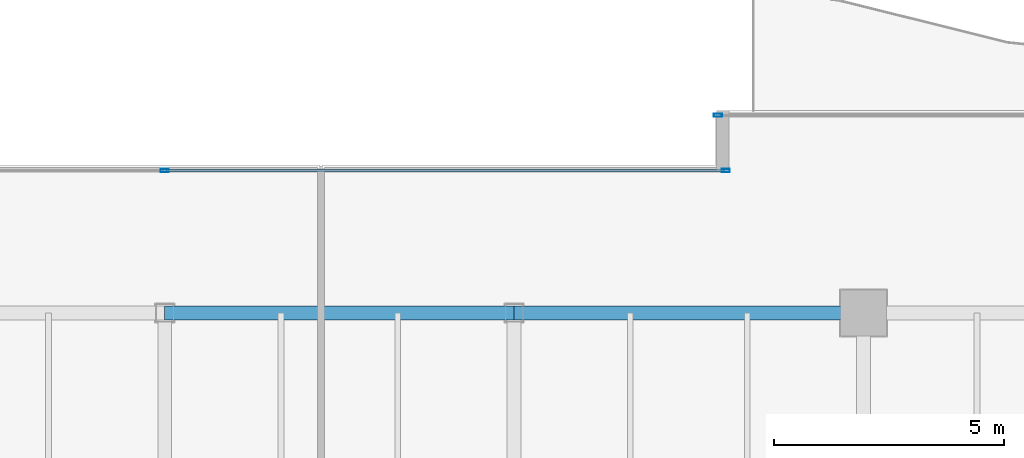
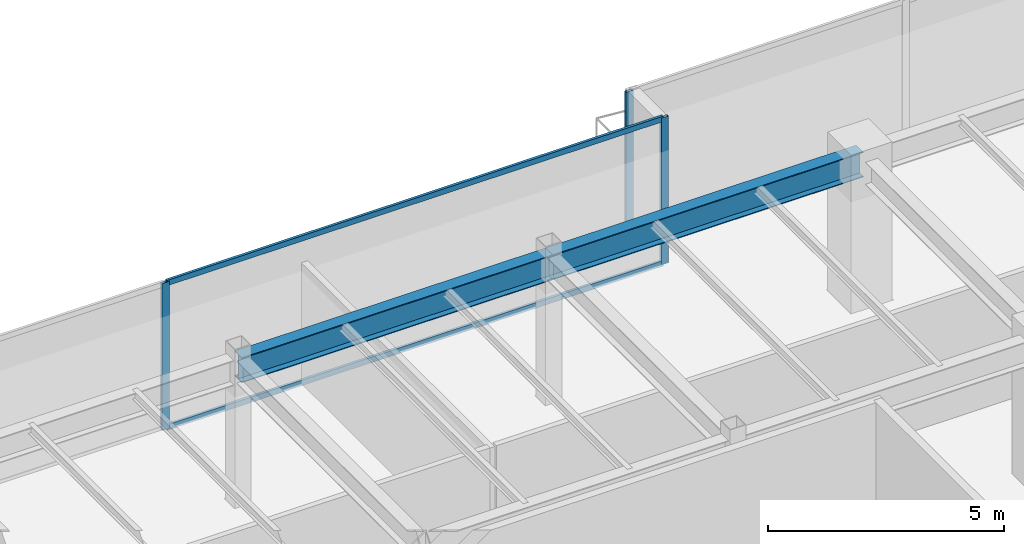
# One storey, part 19 of 35: 5 members, 2 beams, 2 elements without a shape of their own.
"""IFC4 building model written with IfcOpenShell, lengths in metres."""

import ifcopenshell
import ifcopenshell.guid

model = None  # the IFC model being written
_history = None  # IfcOwnerHistory: only IFC2X3 demands one
_inside = {}  # id of a spatial element -> (the spatial element, [elements in it])
_under = {}  # id of a project, library or spatial element -> (it, [spatial elements below it])
_declared = {}  # id of a project -> (the project, [libraries it declares])
_typed = {}  # id of a type object -> (the type object, [elements of that type])
_made_of = {}  # id of a material, layer set ... -> (it, [elements and type objects made of it])


def new_model(schema):
    """Start an empty IFC model of exactly this schema.

    Asked for "IFC4X3", IfcOpenShell would pick the latest addendum, in which some entities
    have other attributes; the version numbers below select the first issue.
    IFC2X3 requires an IfcOwnerHistory on every rooted entity: one is made here for all.
    """
    global model, _history
    if schema == "IFC4X3":
        model = ifcopenshell.file(schema_version=(4, 3, 0, 0))
    else:
        model = ifcopenshell.file(schema=schema)
    _inside.clear()
    _under.clear()
    _declared.clear()
    _typed.clear()
    _made_of.clear()
    _history = None
    if model.schema == "IFC2X3":
        org = make("IfcOrganization", Name="unknown")
        user = make(
            "IfcPersonAndOrganization",
            ThePerson=make("IfcPerson", FamilyName="unknown"),
            TheOrganization=org,
        )
        app = make(
            "IfcApplication",
            ApplicationDeveloper=org,
            Version="unknown",
            ApplicationFullName="unknown",
            ApplicationIdentifier="unknown",
        )
        _history = make(
            "IfcOwnerHistory",
            OwningUser=user,
            OwningApplication=app,
            ChangeAction="ADDED",
            CreationDate=0,
        )
    return model


def make(cls, **values):
    """One entity of the class cls with the attributes given. An attribute that is None is left unset."""
    return model.create_entity(
        cls, **{name: value for name, value in values.items() if value is not None}
    )


def rooted(cls, **values):
    """An entity with a GlobalId (a new one), such as an element, a storey or a relation."""
    return make(cls, GlobalId=ifcopenshell.guid.new(), OwnerHistory=_history, **values)


def si_unit(unit_type, name, prefix=None):
    """IfcSIUnit, for example si_unit("LENGTHUNIT", "METRE", prefix="MILLI")."""
    return make("IfcSIUnit", UnitType=unit_type, Prefix=prefix, Name=name)


def assignment(units):
    """IfcUnitAssignment: the units of a project."""
    return None if units is None else make("IfcUnitAssignment", Units=units)


def point(xyz):
    """IfcCartesianPoint."""
    return None if xyz is None else make("IfcCartesianPoint", Coordinates=xyz)


def direction(xyz):
    """IfcDirection."""
    return None if xyz is None else make("IfcDirection", DirectionRatios=xyz)


def frame(location, z_axis=None, x_axis=None):
    """IfcAxis2Placement3D, a coordinate frame: its origin and axes. An axis left out is left unset."""
    return make(
        "IfcAxis2Placement3D",
        Location=point(location),
        Axis=direction(z_axis),
        RefDirection=direction(x_axis),
    )


def frame_2d(location, x_axis=None):
    """IfcAxis2Placement2D, a coordinate frame in the plane: its origin and x axis."""
    return make(
        "IfcAxis2Placement2D", Location=point(location), RefDirection=direction(x_axis)
    )


def origin():
    """The frame at (0, 0, 0) with its axes left unset."""
    return frame((0.0, 0.0, 0.0))


def origin_2d():
    """The frame at (0, 0) in the plane with its x axis left unset."""
    return frame_2d((0.0, 0.0))


def place(relative_to, where):
    """IfcLocalPlacement: puts the frame where relative to a parent placement (None: the world)."""
    return make(
        "IfcLocalPlacement", PlacementRelTo=relative_to, RelativePlacement=where
    )


def context(
    kind, dimensions, precision=None, world=None, true_north=None, identifier=None
):
    """IfcGeometricRepresentationContext, for example the 3D "Model" context."""
    return make(
        "IfcGeometricRepresentationContext",
        ContextIdentifier=identifier,
        ContextType=kind,
        CoordinateSpaceDimension=dimensions,
        Precision=precision,
        WorldCoordinateSystem=world,
        TrueNorth=true_north,
    )


def subcontext(parent, identifier, kind, view, scale=None):
    """IfcGeometricRepresentationSubContext, for example "Body" below "Model"."""
    return make(
        "IfcGeometricRepresentationSubContext",
        ContextIdentifier=identifier,
        ContextType=kind,
        ParentContext=parent,
        TargetScale=scale,
        TargetView=view,
    )


def project(units=None, contexts=None):
    """IfcProject with its units and contexts."""
    return rooted(
        "IfcProject",
        Name="project",
        RepresentationContexts=contexts,
        UnitsInContext=assignment(units),
    )


def spatial(cls, under=None, at=None, **own):
    """A site, building, storey or space (cls), placed at a placement, below another one or the project."""
    s = rooted(cls, ObjectPlacement=at, **own)
    if under is not None:
        _under.setdefault(under.id(), (under, []))[1].append(s)
    return s


def profile(cls, at=None, kind="AREA", **sizes):
    """A parametric profile (cls). Its sizes go by their IFC names, for example OverallWidth=200.0."""
    return make(cls, ProfileType=kind, Position=at, **sizes)


def hollow_rectangle(**sizes):
    """IfcRectangleHollowProfileDef."""
    return profile("IfcRectangleHollowProfileDef", **sizes)


def i_section(**sizes):
    """IfcIShapeProfileDef."""
    return profile("IfcIShapeProfileDef", **sizes)


def extrude(swept, where, along, depth):
    """IfcExtrudedAreaSolid: the profile swept, set in the frame where, extruded along a direction by depth."""
    return make(
        "IfcExtrudedAreaSolid",
        SweptArea=swept,
        Position=where,
        ExtrudedDirection=direction(along),
        Depth=depth,
    )


def shape(context_of_items, identifier, shape_type, items):
    """IfcShapeRepresentation: the items that make up one representation, for example the "Body"."""
    return make(
        "IfcShapeRepresentation",
        ContextOfItems=context_of_items,
        RepresentationIdentifier=identifier,
        RepresentationType=shape_type,
        Items=items,
    )


def source(mapping_origin, context_of_items, identifier, shape_type, items):
    """IfcRepresentationMap: a shape defined once, which mapped items show again and again."""
    return make(
        "IfcRepresentationMap",
        MappingOrigin=mapping_origin,
        MappedRepresentation=shape(context_of_items, identifier, shape_type, items),
    )


def transform(
    local_origin,
    x_axis=None,
    y_axis=None,
    z_axis=None,
    scale=None,
    scale2=None,
    scale3=None,
    uniform=True,
):
    """IfcCartesianTransformationOperator3D, or its non-uniform kind. x_axis, y_axis, z_axis: its Axis1, 2, 3."""
    if uniform:
        return make(
            "IfcCartesianTransformationOperator3D",
            Axis1=direction(x_axis),
            Axis2=direction(y_axis),
            LocalOrigin=point(local_origin),
            Scale=scale,
            Axis3=direction(z_axis),
        )
    return make(
        "IfcCartesianTransformationOperator3DnonUniform",
        Axis1=direction(x_axis),
        Axis2=direction(y_axis),
        LocalOrigin=point(local_origin),
        Scale=scale,
        Axis3=direction(z_axis),
        Scale2=scale2,
        Scale3=scale3,
    )


def mapped(mapping_source, mapping_target):
    """IfcMappedItem: shows the shape of a source again, moved by a transform."""
    return make(
        "IfcMappedItem", MappingSource=mapping_source, MappingTarget=mapping_target
    )


def material(Name=None, Category=None):
    """IfcMaterial."""
    return make("IfcMaterial", Name=Name, Category=Category)


def layer(
    of_material, thickness, ventilated=None, Name=None, Category=None, Priority=None
):
    """IfcMaterialLayer: one layer of a wall or slab, of a material (None: an air gap)."""
    return make(
        "IfcMaterialLayer",
        Material=of_material,
        LayerThickness=thickness,
        IsVentilated=ventilated,
        Name=Name,
        Category=Category,
        Priority=Priority,
    )


def layer_set(layers, Name=None):
    """IfcMaterialLayerSet."""
    return make("IfcMaterialLayerSet", MaterialLayers=layers, LayerSetName=Name)


def material_profile(
    of_material, cross_section, Name=None, Category=None, Priority=None
):
    """IfcMaterialProfile: a cross section and its material."""
    return make(
        "IfcMaterialProfile",
        Name=Name,
        Material=of_material,
        Profile=cross_section,
        Priority=Priority,
        Category=Category,
    )


def profile_set(profiles, Name=None, composite=None):
    """IfcMaterialProfileSet."""
    return make(
        "IfcMaterialProfileSet",
        Name=Name,
        MaterialProfiles=profiles,
        CompositeProfile=composite,
    )


def made_of(thing, what):
    """Note that an element or type object is made of a material, layer set ...; save() writes the relation."""
    if what is not None:
        _made_of.setdefault(what.id(), (what, []))[1].append(thing)
    return thing


def type_object(cls, material=None, **own):
    """A type object (cls), such as IfcWallType, which elements share."""
    return made_of(rooted(cls, **own), material)


def type_shapes(of_type, sources):
    """Give a type object the sources (RepresentationMaps) that its elements show as mapped items."""
    of_type.RepresentationMaps = sources


def element(
    cls,
    number,
    at=None,
    inside=None,
    cuts=None,
    type_object=None,
    material=None,
    context=None,
    identifier="Body",
    shape_type=None,
    held_by="IfcProductDefinitionShape",
    body=None,
    shapes=None,
    **own,
):
    """One element of the class cls, such as IfcWall. Its Tag is "e" and its number.

    at: its placement. inside: the storey or other place that contains it. cuts: it is an
    opening in that element (IfcRelVoidsElement). A single representation is given by context,
    identifier, shape_type and body (its items); several are given by shapes. held_by: the class
    of the entity that holds the representations. save() writes the other relations.
    """
    e = rooted(cls, Tag="e%d" % number, ObjectPlacement=at, **own)
    if body is not None:
        shapes = [shape(context, identifier, shape_type, body)]
    if shapes is not None:
        e.Representation = make(held_by, Representations=shapes)
    if inside is not None:
        _inside.setdefault(inside.id(), (inside, []))[1].append(e)
    if cuts is not None:
        rooted(
            "IfcRelVoidsElement", RelatingBuildingElement=cuts, RelatedOpeningElement=e
        )
    if type_object is not None:
        _typed.setdefault(type_object.id(), (type_object, []))[1].append(e)
    return made_of(e, material)


def aggregate(whole, parts):
    """IfcRelAggregates: a whole, such as a stair, and the parts it consists of."""
    return rooted("IfcRelAggregates", RelatingObject=whole, RelatedObjects=parts)


def save(model, path):
    """Write the relations noted so far, then the file.

    IfcRelAggregates (storeys below a building ...), IfcRelContainedInSpatialStructure (elements
    in a storey), IfcRelDefinesByType, IfcRelAssociatesMaterial and IfcRelDeclares: one each for
    every whole, place, type object, material and project.
    """
    for whole, parts in _under.values():
        aggregate(whole, parts)
    for where, things in _inside.values():
        rooted(
            "IfcRelContainedInSpatialStructure",
            RelatedElements=things,
            RelatingStructure=where,
        )
    for kind, things in _typed.values():
        rooted("IfcRelDefinesByType", RelatedObjects=things, RelatingType=kind)
    for what, things in _made_of.values():
        rooted("IfcRelAssociatesMaterial", RelatedObjects=things, RelatingMaterial=what)
    for by, libraries in _declared.values():
        rooted("IfcRelDeclares", RelatingContext=by, RelatedDefinitions=libraries)
    model.write(path)


model = new_model("IFC4")

# Units and contexts
model_context = context("Model", 3, precision=1e-05, world=origin(), true_north=direction((0.0, 1.0)))
body_context = subcontext(model_context, "Body", "Model", "MODEL_VIEW")
ifc_project = project(units=[si_unit("LENGTHUNIT", "METRE"), si_unit("AREAUNIT", "SQUARE_METRE"), si_unit("VOLUMEUNIT", "CUBIC_METRE"), si_unit("PLANEANGLEUNIT", "RADIAN"), si_unit("MASSUNIT", "GRAM", prefix="KILO")], contexts=[model_context])

# Site, building, storey
site_placement = place(None, origin())
site = spatial("IfcSite", under=ifc_project, at=site_placement, CompositionType="ELEMENT")
building_placement = place(site_placement, origin())
building = spatial("IfcBuilding", under=site, at=building_placement, Name="Haelvirn Gate Laboratories", CompositionType="ELEMENT")
storey_placement = place(building_placement, frame((0.0, 0.0, 283.39990234375)))
storey = spatial("IfcBuildingStorey", under=building, at=storey_placement, Name="L68", CompositionType="ELEMENT", Elevation=283.39990234375)

# Beams
ifc_material_1 = material(Name="Steel SM355", Category="steel")
ifc_material_profile_1 = material_profile(ifc_material_1, i_section(OverallWidth=0.300048828125, OverallDepth=0.64990234375, WebThickness=0.012939453125, FlangeThickness=0.02197265625, at=origin_2d()), Name="H-650x300x13x22")
ifc_profile_set_1 = profile_set([ifc_material_profile_1], Name="Steel SM355")
beam_type = type_object("IfcBeamType", Name="BM-G-650", PredefinedType="BEAM", material=ifc_profile_set_1)
shared_shape_1 = source(origin(), body_context, "Body", "SweptSolid", [
    extrude(i_section(OverallWidth=0.300048828125, OverallDepth=0.64990234375, WebThickness=0.012939453125, FlangeThickness=0.02197265625, at=origin_2d()), origin(), (0.0, 0.0, 1.0), 7.60009765625),
])
type_shapes(beam_type, [shared_shape_1])
for number, where, z_axis, x_axis, name in (
    (1, (37.39990234375, 41.60009765625, 3.47509765625), (1.0, 0.0, 0.0), (0.0, 1.0, 0.0), "L68 Primary Girder Y41.6 (37.4-45.0)"),
    (2, (45.0, 41.60009765625, 3.47509765625), (1.0, 0.0, 0.0), (0.0, 1.0, 0.0), "L68 Primary Girder Y41.6 (45.0-52.6)"),
):
    element("IfcBeam", number, at=place(storey_placement, frame(where, z_axis=z_axis, x_axis=x_axis)), inside=storey, type_object=beam_type, Name=name, PredefinedType="BEAM", context=body_context, shape_type="MappedRepresentation", body=[
        mapped(shared_shape_1, transform((0.0, 0.0, 0.0), scale=1.0)),
    ])

# Curtain wall, members
ifc_material_2 = material(Name="Anodised bronze unitised aluminium & triple low-E glass", Category="aluminium")
ifc_layer = layer(ifc_material_2, 0.176025390625, Name="CW-SYS-4")
ifc_layer_set = layer_set([ifc_layer], Name="Anodised bronze unitised aluminium & triple low-E glass")
curtain_wall_type = type_object("IfcCurtainWallType", Name="CW-SYS-4", PredefinedType="NOTDEFINED", material=ifc_layer_set)
curtain_wall_1_placement = place(storey_placement, origin())
curtain_wall_1 = element("IfcCurtainWall", 3, at=curtain_wall_1_placement, inside=storey, type_object=curtain_wall_type, Name="L68 Unitised Curtain Wall CW-L68-P0-E12-1", PredefinedType="NOTDEFINED")
ifc_material_3 = material(Name="Extruded aluminium 6063-T6 (anodised bronze)", Category="aluminium")
ifc_material_profile_2 = material_profile(ifc_material_3, hollow_rectangle(XDim=0.06494140625, YDim=0.139892578125, WallThickness=0.00390625, at=origin_2d()), Name="CWT-140x65x4")
ifc_profile_set_2 = profile_set([ifc_material_profile_2], Name="Extruded aluminium 6063-T6 (anodised bronze)")
member_type_1 = type_object("IfcMemberType", Name="CWT-T140", PredefinedType="USERDEFINED", material=ifc_profile_set_2)
shared_shape_2 = source(origin(), body_context, "Body", "SweptSolid", [
    extrude(hollow_rectangle(XDim=0.06494140625, YDim=0.139892578125, WallThickness=0.00390625, at=origin_2d()), origin(), (0.0, 0.0, 1.0), 12.135009765625),
])
type_shapes(member_type_1, [shared_shape_2])
member_1_placement = place(storey_placement, frame((37.43505859375, 44.699951171875, 0.03271484375), z_axis=(1.0, 0.0, 0.0), x_axis=(0.0, 1.0, 0.0)))
member_1 = element("IfcMember", 4, at=member_1_placement, type_object=member_type_1, Name="CW4 transom 2.1", ObjectType="TRANSOM", PredefinedType="USERDEFINED", context=body_context, shape_type="MappedRepresentation", body=[
    mapped(shared_shape_2, transform((0.0, 0.0, 0.0), scale=1.0)),
])
member_2_placement = place(storey_placement, frame((37.43505859375, 44.699951171875, 3.767578125), z_axis=(1.0, 0.0, 0.0), x_axis=(0.0, 1.0, 0.0)))
member_2 = element("IfcMember", 5, at=member_2_placement, type_object=member_type_1, Name="CW4 transom 2.2", ObjectType="TRANSOM", PredefinedType="USERDEFINED", context=body_context, shape_type="MappedRepresentation", body=[
    mapped(shared_shape_2, transform((0.0, 0.0, 0.0), scale=1.0)),
])

# Curtain wall, member
curtain_wall_2_placement = place(storey_placement, origin())
curtain_wall_2 = element("IfcCurtainWall", 6, at=curtain_wall_2_placement, inside=storey, type_object=curtain_wall_type, Name="L68 Unitised Curtain Wall CW-L68-P0-E10-1", PredefinedType="NOTDEFINED")
ifc_material_profile_3 = material_profile(ifc_material_3, hollow_rectangle(XDim=0.070068359375, YDim=0.179931640625, WallThickness=0.0048828125, at=origin_2d()), Name="CWM-180x70x5")
ifc_profile_set_3 = profile_set([ifc_material_profile_3], Name="Extruded aluminium 6063-T6 (anodised bronze)")
member_type_2 = type_object("IfcMemberType", Name="CWM-T180", PredefinedType="MULLION", material=ifc_profile_set_3)
shared_shape_3 = source(origin(), body_context, "Body", "SweptSolid", [
    extrude(hollow_rectangle(XDim=0.070068359375, YDim=0.179931640625, WallThickness=0.0048828125, at=origin_2d()), origin(), (0.0, 0.0, 1.0), 3.800048828125),
])
type_shapes(member_type_2, [shared_shape_3])
member_3_placement = place(storey_placement, frame((49.43505859375, 45.89990234375, 0.0), z_axis=(0.0, 0.0, 1.0), x_axis=(0.0, 1.0, 0.0)))
member_3 = element("IfcMember", 7, at=member_3_placement, type_object=member_type_2, Name="CW4 mullion 1", PredefinedType="MULLION", context=body_context, shape_type="MappedRepresentation", body=[
    mapped(shared_shape_3, transform((0.0, 0.0, 0.0), scale=1.0)),
])
aggregate(curtain_wall_2, [member_3])

# Member
member_4_placement = place(storey_placement, frame((37.39990234375, 44.699951171875, 0.0), z_axis=(0.0, 0.0, 1.0), x_axis=(0.0, 1.0, 0.0)))
member_4 = element("IfcMember", 8, at=member_4_placement, type_object=member_type_2, Name="CW4 mullion 2", PredefinedType="MULLION", context=body_context, shape_type="MappedRepresentation", body=[
    mapped(shared_shape_3, transform((0.0, 0.0, 0.0), scale=1.0)),
])

member_5_placement = place(storey_placement, frame((49.60498046875, 44.699951171875, 0.0), z_axis=(0.0, 0.0, 1.0), x_axis=(0.0, 1.0, 0.0)))
member_5 = element("IfcMember", 9, at=member_5_placement, type_object=member_type_2, Name="CW4 mullion 3", PredefinedType="MULLION", context=body_context, shape_type="MappedRepresentation", body=[
    mapped(shared_shape_3, transform((0.0, 0.0, 0.0), scale=1.0)),
])

aggregate(curtain_wall_1, [member_4, member_5, member_1, member_2])

save(model, "model.ifc")
